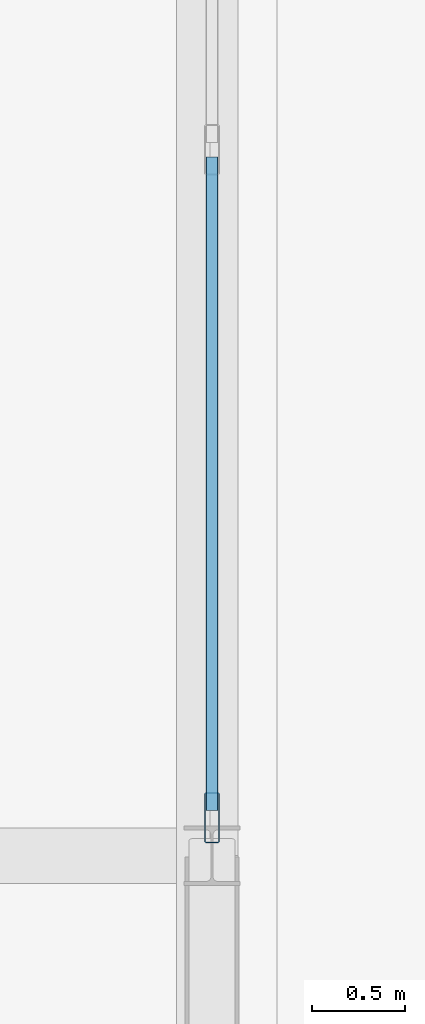
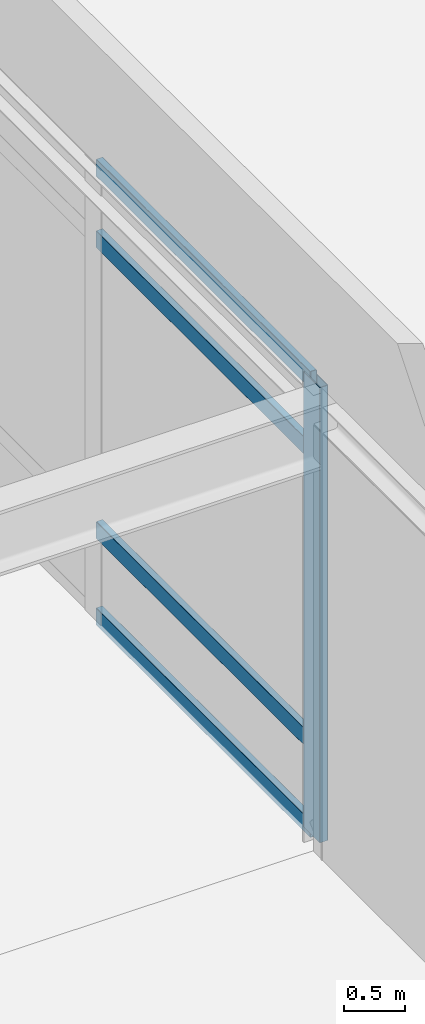
# One storey, part 19 of 43: 5 members, 1 element without a shape of its own.
"""IFC4 building model written with IfcOpenShell, lengths in metres."""

from ifc_helpers import new_model, si_unit, direction, frame, origin, origin_2d, place, context, subcontext, project, spatial, hollow_rectangle, extrude, material, layer, layer_set, material_profile, profile_set, type_object, element, aggregate, save


model = new_model("IFC4")

# Units and contexts
model_context = context("Model", 3, precision=1e-05, world=origin(), true_north=direction((0.0, 1.0)))
body_context = subcontext(model_context, "Body", "Model", "MODEL_VIEW")
ifc_project = project(units=[si_unit("LENGTHUNIT", "METRE"), si_unit("AREAUNIT", "SQUARE_METRE"), si_unit("VOLUMEUNIT", "CUBIC_METRE"), si_unit("PLANEANGLEUNIT", "RADIAN"), si_unit("MASSUNIT", "GRAM", prefix="KILO")], contexts=[model_context])

# Site, building, storey
site_placement = place(None, origin())
site = spatial("IfcSite", under=ifc_project, at=site_placement, CompositionType="ELEMENT")
building_placement = place(site_placement, origin())
building = spatial("IfcBuilding", under=site, at=building_placement, Name="Shalkamar Park Central Library", CompositionType="ELEMENT")
storey_placement = place(building_placement, frame((0.0, 0.0, 15.60009765625)))
storey = spatial("IfcBuildingStorey", under=building, at=storey_placement, Name="L04", CompositionType="ELEMENT", Elevation=15.60009765625)

# Curtain wall, members
ifc_material_1 = material(Name="Thermally broken aluminium and triple low-e curtain wall", Category="aluminium")
ifc_layer = layer(ifc_material_1, 0.27001953125)
ifc_layer_set = layer_set([ifc_layer], Name="UnitisedCurtainWall_65")
curtain_wall_type = type_object("IfcCurtainWallType", Name="Unitised Curtain Wall 65", PredefinedType="USERDEFINED", material=ifc_layer_set)
curtain_wall_placement = place(storey_placement, origin())
curtain_wall = element("IfcCurtainWall", 1, at=curtain_wall_placement, inside=storey, type_object=curtain_wall_type, Name="Unitised Curtain Wall CW-L04-080", ObjectType="UNITISED CURTAIN WALL", PredefinedType="USERDEFINED")
ifc_material_2 = material(Name="Aluminium 6060-T66", Category="aluminium")
ifc_material_profile_1 = material_profile(ifc_material_2, hollow_rectangle(XDim=0.080078125, YDim=0.27001953125, WallThickness=0.0048828125, InnerFilletRadius=0.0048828125, OuterFilletRadius=0.007568359375, at=origin_2d()), Name="ALU 80x270x5")
ifc_profile_set_1 = profile_set([ifc_material_profile_1], Name="Aluminium 6060-T66")
member_type_1 = type_object("IfcMemberType", Name="Curtain Wall Mullion ALU80x270", PredefinedType="MULLION", material=ifc_profile_set_1)
member_1_placement = place(storey_placement, frame((264.0, 278.2041015625, 0.0), z_axis=(0.0, 0.0, 1.0), x_axis=(-1.0, 0.0, 0.0)))
member_1 = element("IfcMember", 2, at=member_1_placement, type_object=member_type_1, Name="CW-65 mullion 1", PredefinedType="MULLION", context=body_context, shape_type="SweptSolid", body=[
    extrude(hollow_rectangle(XDim=0.080078125, YDim=0.27001953125, WallThickness=0.0048828125, InnerFilletRadius=0.0048828125, OuterFilletRadius=0.007568359375, at=origin_2d()), origin(), (0.0, 0.0, 1.0), 4.56982421875),
])
ifc_material_profile_2 = material_profile(ifc_material_2, hollow_rectangle(XDim=0.06494140625, YDim=0.175048828125, WallThickness=0.00439453125, InnerFilletRadius=0.00439453125, OuterFilletRadius=0.0068359375, at=origin_2d()), Name="ALU 65x175x4.5")
ifc_profile_set_2 = profile_set([ifc_material_profile_2], Name="Aluminium 6060-T66")
member_type_2 = type_object("IfcMemberType", Name="Curtain Wall Transom ALU65x175", PredefinedType="USERDEFINED", material=ifc_profile_set_2)
member_2_placement = place(storey_placement, frame((264.0, 278.243896484375, 0.032470703125), z_axis=(0.0, 1.0, 0.0), x_axis=(-1.0, 0.0, 0.0)))
member_2 = element("IfcMember", 3, at=member_2_placement, type_object=member_type_2, Name="CW-65 transom 1.1", ObjectType="TRANSOM", PredefinedType="USERDEFINED", context=body_context, shape_type="SweptSolid", body=[
    extrude(hollow_rectangle(XDim=0.06494140625, YDim=0.175048828125, WallThickness=0.00439453125, InnerFilletRadius=0.00439453125, OuterFilletRadius=0.0068359375, at=origin_2d()), origin(), (0.0, 0.0, 1.0), 3.51611328125),
])
member_3_placement = place(storey_placement, frame((264.0, 278.243896484375, 0.89990234375), z_axis=(0.0, 1.0, 0.0), x_axis=(-1.0, 0.0, 0.0)))
member_3 = element("IfcMember", 4, at=member_3_placement, type_object=member_type_2, Name="CW-65 transom 1.2", ObjectType="TRANSOM", PredefinedType="USERDEFINED", context=body_context, shape_type="SweptSolid", body=[
    extrude(hollow_rectangle(XDim=0.06494140625, YDim=0.175048828125, WallThickness=0.00439453125, InnerFilletRadius=0.00439453125, OuterFilletRadius=0.0068359375, at=origin_2d()), origin(), (0.0, 0.0, 1.0), 3.51611328125),
])
member_4_placement = place(storey_placement, frame((264.0, 278.243896484375, 3.81982421875), z_axis=(0.0, 1.0, 0.0), x_axis=(-1.0, 0.0, 0.0)))
member_4 = element("IfcMember", 5, at=member_4_placement, type_object=member_type_2, Name="CW-65 transom 1.3", ObjectType="TRANSOM", PredefinedType="USERDEFINED", context=body_context, shape_type="SweptSolid", body=[
    extrude(hollow_rectangle(XDim=0.06494140625, YDim=0.175048828125, WallThickness=0.00439453125, InnerFilletRadius=0.00439453125, OuterFilletRadius=0.0068359375, at=origin_2d()), origin(), (0.0, 0.0, 1.0), 3.51611328125),
])
member_5_placement = place(storey_placement, frame((264.0, 278.243896484375, 4.537353515625), z_axis=(0.0, 1.0, 0.0), x_axis=(-1.0, 0.0, 0.0)))
member_5 = element("IfcMember", 6, at=member_5_placement, type_object=member_type_2, Name="CW-65 transom 1.4", ObjectType="TRANSOM", PredefinedType="USERDEFINED", context=body_context, shape_type="SweptSolid", body=[
    extrude(hollow_rectangle(XDim=0.06494140625, YDim=0.175048828125, WallThickness=0.00439453125, InnerFilletRadius=0.00439453125, OuterFilletRadius=0.0068359375, at=origin_2d()), origin(), (0.0, 0.0, 1.0), 3.51611328125),
])
aggregate(curtain_wall, [member_1, member_2, member_3, member_4, member_5])

save(model, "model.ifc")
